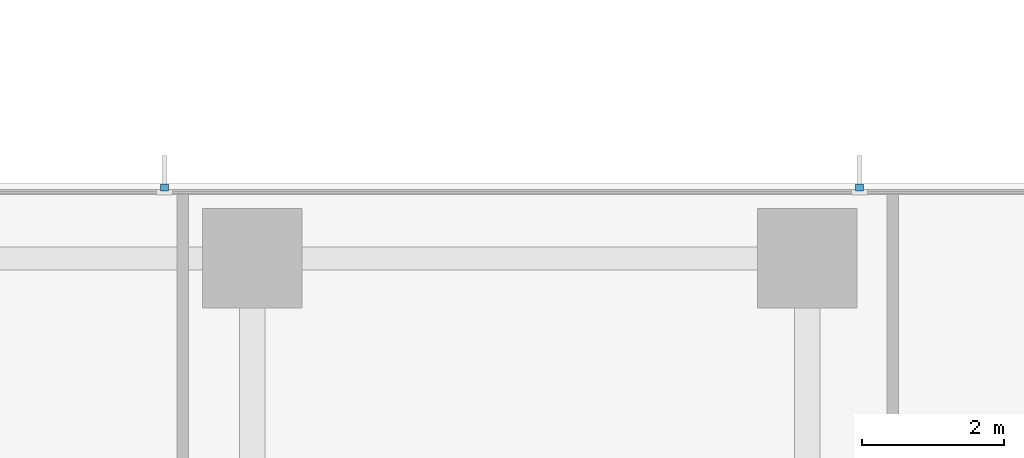
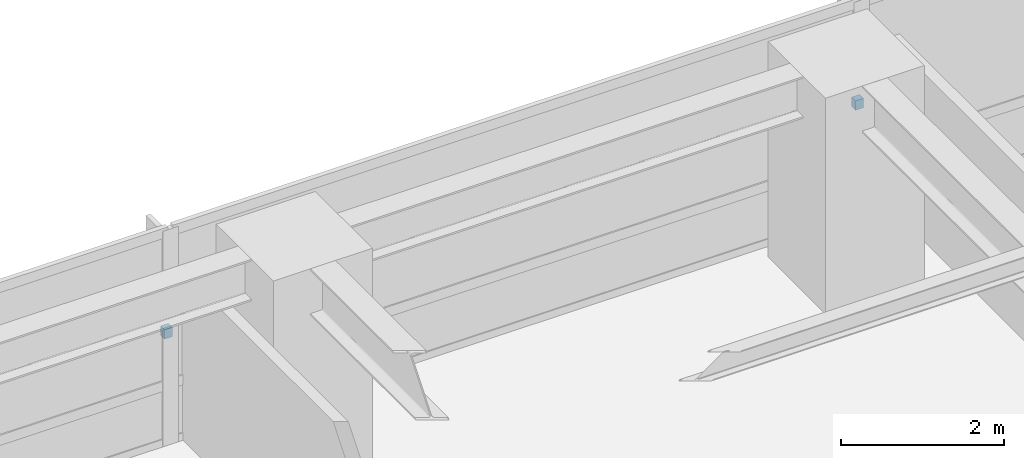
# One storey, part 14 of 16: 2 discrete accessories.
"""IFC4 building model written with IfcOpenShell, lengths in metres."""

from ifc_helpers import new_model, si_unit, direction, frame, origin, place, context, subcontext, project, spatial, polyline, outline, extrude, material, type_object, element, save


model = new_model("IFC4")

# Units and contexts
model_context = context("Model", 3, precision=1e-05, world=origin(), true_north=direction((0.0, 1.0)))
body_context = subcontext(model_context, "Body", "Model", "MODEL_VIEW")
ifc_project = project(units=[si_unit("LENGTHUNIT", "METRE"), si_unit("AREAUNIT", "SQUARE_METRE"), si_unit("VOLUMEUNIT", "CUBIC_METRE"), si_unit("PLANEANGLEUNIT", "RADIAN"), si_unit("MASSUNIT", "GRAM", prefix="KILO")], contexts=[model_context])

# Site, building, storey
site_placement = place(None, origin())
site = spatial("IfcSite", under=ifc_project, at=site_placement, CompositionType="ELEMENT")
building_placement = place(site_placement, origin())
building = spatial("IfcBuilding", under=site, at=building_placement, Name="Qalmaran Belvedere Hotel", CompositionType="ELEMENT")
storey_placement = place(building_placement, frame((0.0, 0.0, 43.89990234375)))
storey = spatial("IfcBuildingStorey", under=building, at=storey_placement, Name="L10", CompositionType="ELEMENT", Elevation=43.89990234375)

# Discrete accessories
ifc_material = material(Name="Stainless Steel 1.4401", Category="steel")
discrete_accessory_type = type_object("IfcDiscreteAccessoryType", Name="BRK-FIN-SS316", PredefinedType="BRACKET", material=ifc_material)
discrete_accessory_1_placement = place(storey_placement, frame((0.0, 0.0, 1.56005859375)))
element("IfcDiscreteAccessory", 1, at=discrete_accessory_1_placement, inside=storey, type_object=discrete_accessory_type, Name="L10 Fin Bracket 1", PredefinedType="BRACKET", context=body_context, shape_type="SweptSolid", body=[
    extrude(outline(polyline([(45.58837890625, 48.39501953125), (45.58837890625, 48.492431640625), (45.478271484375, 48.492431640625), (45.478271484375, 48.39501953125), (45.58837890625, 48.39501953125)])), origin(), (0.0, 0.0, 1.0), 0.14013671875),
])
discrete_accessory_2_placement = place(storey_placement, frame((0.0, 0.0, 1.56005859375)))
element("IfcDiscreteAccessory", 2, at=discrete_accessory_2_placement, inside=storey, type_object=discrete_accessory_type, Name="L10 Fin Bracket 2", PredefinedType="BRACKET", context=body_context, shape_type="SweptSolid", body=[
    extrude(outline(polyline([(35.82177734375, 48.39501953125), (35.82177734375, 48.492431640625), (35.711669921875, 48.492431640625), (35.711669921875, 48.39501953125), (35.82177734375, 48.39501953125)])), origin(), (0.0, 0.0, 1.0), 0.14013671875),
])

save(model, "model.ifc")
